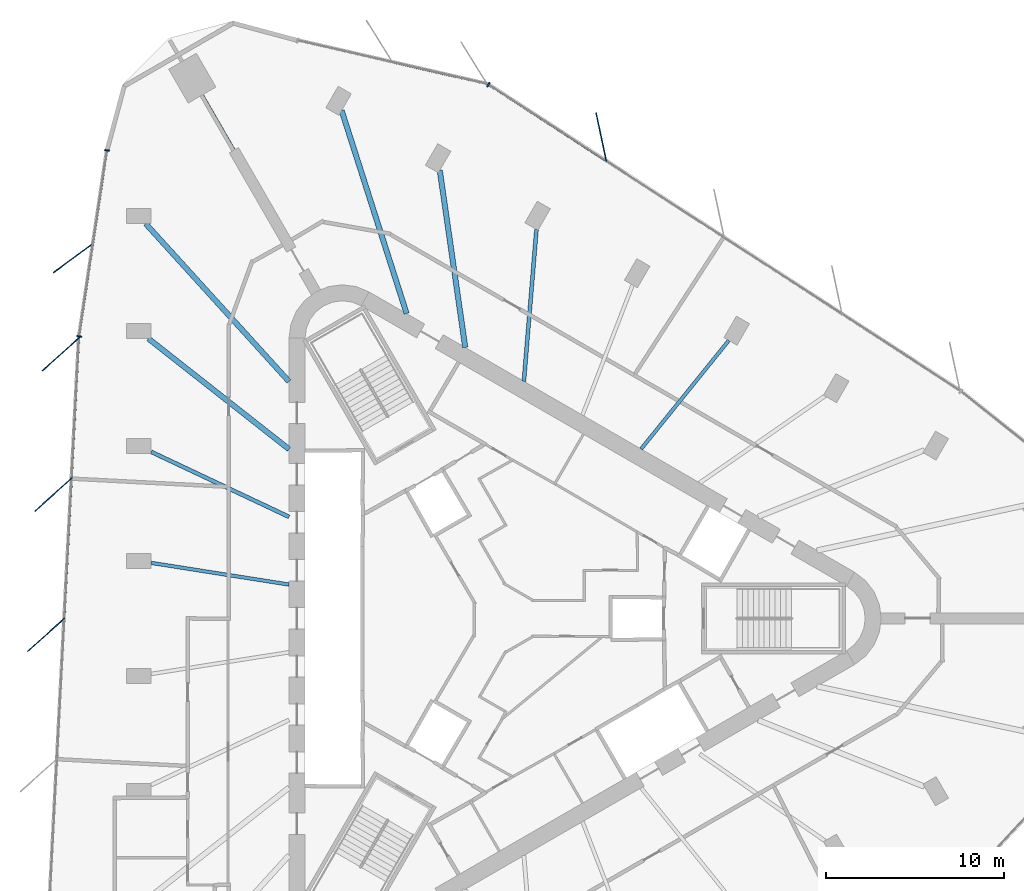
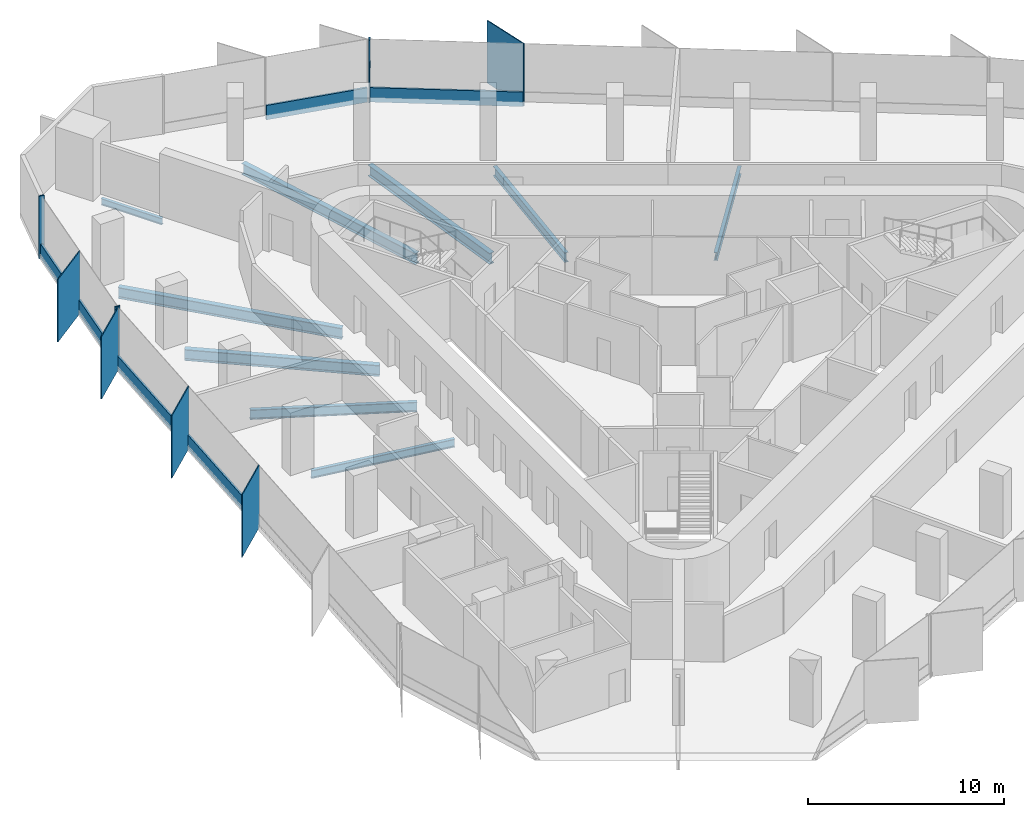
# One storey, part 4 of 13: 14 members, 9 beams, 4 elements without a shape of their own.
"""IFC4 building model written with IfcOpenShell, lengths in metres."""

from ifc_helpers import new_model, si_unit, direction, frame, origin, origin_2d, place, context, subcontext, project, spatial, rectangle, i_section, extrude, material, material_profile, profile_set, type_object, element, aggregate, save


model = new_model("IFC4")

# Units and contexts
model_context = context("Model", 3, precision=1e-05, world=origin(), true_north=direction((0.0, 1.0)))
body_context = subcontext(model_context, "Body", "Model", "MODEL_VIEW")
ifc_project = project(units=[si_unit("LENGTHUNIT", "METRE"), si_unit("AREAUNIT", "SQUARE_METRE"), si_unit("VOLUMEUNIT", "CUBIC_METRE"), si_unit("PLANEANGLEUNIT", "RADIAN"), si_unit("MASSUNIT", "GRAM", prefix="KILO")], contexts=[model_context])

# Site, building, storey
site_placement = place(None, origin())
site = spatial("IfcSite", under=ifc_project, at=site_placement, CompositionType="ELEMENT")
building_placement = place(site_placement, origin())
building = spatial("IfcBuilding", under=site, at=building_placement, Name="Tanit Gate Tower", CompositionType="ELEMENT")
storey_placement = place(building_placement, frame((0.0, 0.0, 314.300048828125)))
storey = spatial("IfcBuildingStorey", under=building, at=storey_placement, Name="L70", CompositionType="ELEMENT", Elevation=314.300048828125)

# Curtain wall, member
ifc_material_1 = material(Name="Aluminium bronze anodised and glass", Category="aluminium")
curtain_wall_type = type_object("IfcCurtainWallType", Name="Curtain wall typical high", PredefinedType="NOTDEFINED", material=ifc_material_1)
curtain_wall_1_placement = place(storey_placement, origin())
curtain_wall_1 = element("IfcCurtainWall", 1, at=curtain_wall_1_placement, inside=storey, type_object=curtain_wall_type, Name="Curtain wall L70 NE2", PredefinedType="NOTDEFINED")
ifc_material_2 = material(Name="Aluminium bronze anodised", Category="aluminium")
ifc_material_profile_1 = material_profile(ifc_material_2, rectangle(XDim=2.800048828125, YDim=0.055908203125, at=origin_2d()), Name="56x2800 bronze fin mullion")
ifc_profile_set_1 = profile_set([ifc_material_profile_1], Name="Aluminium bronze anodised")
member_type_1 = type_object("IfcMemberType", Name="FIN MULLION 56x2800 bronze", PredefinedType="MULLION", material=ifc_profile_set_1)
member_1_placement = place(storey_placement, frame((5.455078125, 27.071044921875, -0.300048828125), z_axis=(0.0, 0.0, 1.0), x_axis=(0.208237849046, -0.978078216824, 0.0)))
member_1 = element("IfcMember", 2, at=member_1_placement, type_object=member_type_1, Name="Fin mullion L70 NE2.4", PredefinedType="MULLION", context=body_context, shape_type="SweptSolid", body=[
    extrude(rectangle(XDim=2.800048828125, YDim=0.055908203125, at=origin_2d()), origin(), (0.0, 0.0, 1.0), 3.89990234375),
])

curtain_wall_2_placement = place(storey_placement, origin())
curtain_wall_2 = element("IfcCurtainWall", 3, at=curtain_wall_2_placement, inside=storey, type_object=curtain_wall_type, Name="Curtain wall L70 W1", PredefinedType="NOTDEFINED")
member_2_placement = place(storey_placement, frame((-24.231689453125, 20.26904296875, -0.300048828125), z_axis=(0.0, 0.0, 1.0), x_axis=(0.804109178705, 0.594481647086, 0.0)))
member_2 = element("IfcMember", 4, at=member_2_placement, type_object=member_type_1, Name="Fin mullion L70 W1.2", PredefinedType="MULLION", context=body_context, shape_type="SweptSolid", body=[
    extrude(rectangle(XDim=2.800048828125, YDim=0.055908203125, at=origin_2d()), origin(), (0.0, 0.0, 1.0), 3.89990234375),
])

# Curtain wall, members
curtain_wall_3_placement = place(storey_placement, origin())
curtain_wall_3 = element("IfcCurtainWall", 5, at=curtain_wall_3_placement, inside=storey, type_object=curtain_wall_type, Name="Curtain wall L70 W2", PredefinedType="NOTDEFINED")
member_3_placement = place(storey_placement, frame((-24.939453125, 14.85498046875, -0.300048828125), z_axis=(0.0, 0.0, 1.0), x_axis=(0.742921658135, 0.669378375715, 0.0)))
member_3 = element("IfcMember", 6, at=member_3_placement, type_object=member_type_1, Name="Fin mullion L70 W2.1", PredefinedType="MULLION", context=body_context, shape_type="SweptSolid", body=[
    extrude(rectangle(XDim=2.800048828125, YDim=0.055908203125, at=origin_2d()), origin(), (0.0, 0.0, 1.0), 3.89990234375),
])
member_4_placement = place(storey_placement, frame((-25.35009765625, 6.96630859375, -0.300048828125), z_axis=(0.0, 0.0, 1.0), x_axis=(0.742921658135, 0.669378375715, 0.0)))
member_4 = element("IfcMember", 7, at=member_4_placement, type_object=member_type_1, Name="Fin mullion L70 W2.2", PredefinedType="MULLION", context=body_context, shape_type="SweptSolid", body=[
    extrude(rectangle(XDim=2.800048828125, YDim=0.055908203125, at=origin_2d()), origin(), (0.0, 0.0, 1.0), 3.89990234375),
])
member_5_placement = place(storey_placement, frame((-25.760986328125, -0.92236328125, -0.300048828125), z_axis=(0.0, 0.0, 1.0), x_axis=(0.742921658135, 0.669378375715, 0.0)))
member_5 = element("IfcMember", 8, at=member_5_placement, type_object=member_type_1, Name="Fin mullion L70 W2.3", PredefinedType="MULLION", context=body_context, shape_type="SweptSolid", body=[
    extrude(rectangle(XDim=2.800048828125, YDim=0.055908203125, at=origin_2d()), origin(), (0.0, 0.0, 1.0), 3.89990234375),
])

# Member
ifc_material_3 = material(Name="Aluminium bronze anodised", Category="aluminium")
ifc_material_profile_2 = material_profile(ifc_material_3, rectangle(XDim=0.280029296875, YDim=0.080078125, at=origin_2d()), Name="80x280 bronze mullion")
ifc_profile_set_2 = profile_set([ifc_material_profile_2], Name="Aluminium bronze anodised")
member_type_2 = type_object("IfcMemberType", Name="Mullion 80x280 typical high", PredefinedType="MULLION", material=ifc_profile_set_2)
member_6_placement = place(storey_placement, frame((-0.884033203125, 30.021240234375, -0.300048828125), z_axis=(0.0, 0.0, 1.0), x_axis=(-0.544359344487, -0.838852134807, 0.0)))
member_6 = element("IfcMember", 9, at=member_6_placement, type_object=member_type_2, Name="Mullion L70 NE2.5", PredefinedType="MULLION", context=body_context, shape_type="SweptSolid", body=[
    extrude(rectangle(XDim=0.280029296875, YDim=0.080078125, at=origin_2d()), origin(), (0.0, 0.0, 1.0), 3.89990234375),
])

member_7_placement = place(storey_placement, frame((-22.337890625, 26.32080078125, -0.300048828125), z_axis=(0.0, 0.0, 1.0), x_axis=(0.988953057022, -0.148229049131, 0.0)))
member_7 = element("IfcMember", 10, at=member_7_placement, type_object=member_type_2, Name="Mullion L70 W1.1", PredefinedType="MULLION", context=body_context, shape_type="SweptSolid", body=[
    extrude(rectangle(XDim=0.280029296875, YDim=0.080078125, at=origin_2d()), origin(), (0.0, 0.0, 1.0), 3.89990234375),
])

member_8_placement = place(storey_placement, frame((-23.906005859375, 15.8583984375, -0.300048828125), z_axis=(0.0, 0.0, 1.0), x_axis=(0.988953057022, -0.148229049131, 0.0)))
member_8 = element("IfcMember", 11, at=member_8_placement, type_object=member_type_2, Name="Mullion L70 W1.3", PredefinedType="MULLION", context=body_context, shape_type="SweptSolid", body=[
    extrude(rectangle(XDim=0.280029296875, YDim=0.080078125, at=origin_2d()), origin(), (0.0, 0.0, 1.0), 3.89990234375),
])

# Beams
ifc_material_4 = material(Name="Steel S355", Category="steel")
ifc_material_profile_3 = material_profile(ifc_material_4, i_section(OverallWidth=0.300048828125, OverallDepth=0.68994140625, WebThickness=0.014404296875, FlangeThickness=0.027099609375, FilletRadius=0.027099609375, at=origin_2d()), Name="HEA 700")
ifc_profile_set_3 = profile_set([ifc_material_profile_3], Name="Steel S355")
beam_type_1 = type_object("IfcBeamType", Name="RADIAL GIRDER HEA 700 S355", PredefinedType="BEAM", material=ifc_profile_set_3)
beam_1_placement = place(storey_placement, frame((-3.622314453125, 25.19580078125, -0.64501953125), z_axis=(0.142297951306, -0.989823869713, 0.0), x_axis=(0.989823869713, 0.142297951306, 0.0)))
element("IfcBeam", 12, at=beam_1_placement, inside=storey, type_object=beam_type_1, Name="RADIAL GIRDER", PredefinedType="BEAM", context=body_context, shape_type="SweptSolid", body=[
    extrude(i_section(OverallWidth=0.300048828125, OverallDepth=0.68994140625, WebThickness=0.014404296875, FlangeThickness=0.027099609375, FilletRadius=0.027099609375, at=origin_2d()), origin(), (0.0, 0.0, 1.0), 10.05908203125),
])
beam_2_placement = place(storey_placement, frame((-9.142822265625, 28.5615234375, -0.64501953125), z_axis=(0.304861429939, -0.952396718041, 0.0), x_axis=(0.952396718041, 0.304861429939, 0.0)))
element("IfcBeam", 13, at=beam_2_placement, inside=storey, type_object=beam_type_1, Name="RADIAL GIRDER", PredefinedType="BEAM", context=body_context, shape_type="SweptSolid", body=[
    extrude(i_section(OverallWidth=0.300048828125, OverallDepth=0.68994140625, WebThickness=0.014404296875, FlangeThickness=0.027099609375, FilletRadius=0.027099609375, at=origin_2d()), origin(), (0.0, 0.0, 1.0), 11.989990234375),
])
beam_3_placement = place(storey_placement, frame((-20.16357421875, 22.198486328125, -0.64501953125), z_axis=(0.672368682258, -0.740216424513, 0.0), x_axis=(0.740216424513, 0.672368682258, 0.0)))
element("IfcBeam", 14, at=beam_3_placement, inside=storey, type_object=beam_type_1, Name="RADIAL GIRDER", PredefinedType="BEAM", context=body_context, shape_type="SweptSolid", body=[
    extrude(i_section(OverallWidth=0.300048828125, OverallDepth=0.68994140625, WebThickness=0.014404296875, FlangeThickness=0.027099609375, FilletRadius=0.027099609375, at=origin_2d()), origin(), (0.0, 0.0, 1.0), 11.98974609375),
])
beam_4_placement = place(storey_placement, frame((-20.009033203125, 15.734619140625, -0.64501953125), z_axis=(0.786058028023, -0.618152712993, 0.0), x_axis=(0.618152712993, 0.786058028023, 0.0)))
element("IfcBeam", 15, at=beam_4_placement, inside=storey, type_object=beam_type_1, Name="RADIAL GIRDER", PredefinedType="BEAM", context=body_context, shape_type="SweptSolid", body=[
    extrude(i_section(OverallWidth=0.300048828125, OverallDepth=0.68994140625, WebThickness=0.014404296875, FlangeThickness=0.027099609375, FilletRadius=0.027099609375, at=origin_2d()), origin(), (0.0, 0.0, 1.0), 10.05908203125),
])
ifc_material_5 = material(Name="Steel S355", Category="steel")
ifc_material_profile_4 = material_profile(ifc_material_5, i_section(OverallWidth=0.179931640625, OverallDepth=0.39990234375, WebThickness=0.008544921875, FlangeThickness=0.013427734375, FilletRadius=0.02099609375, at=origin_2d()), Name="IPE 400")
ifc_profile_set_4 = profile_set([ifc_material_profile_4], Name="Steel S355")
beam_type_2 = type_object("IfcBeamType", Name="RADIAL GIRDER IPE 400 S355", PredefinedType="BEAM", material=ifc_profile_set_4)
beam_5_placement = place(storey_placement, frame((-16.991455078125, 29.43017578125, -0.5), z_axis=(0.499968468511, -0.866043607733, 0.0), x_axis=(0.866043607733, 0.499968468511, 0.0)))
element("IfcBeam", 16, at=beam_5_placement, inside=storey, type_object=beam_type_2, Name="RADIAL GIRDER", PredefinedType="BEAM", context=body_context, shape_type="SweptSolid", body=[
    extrude(i_section(OverallWidth=0.179931640625, OverallDepth=0.39990234375, WebThickness=0.008544921875, FlangeThickness=0.013427734375, FilletRadius=0.02099609375, at=origin_2d()), origin(), (0.0, 0.0, 1.0), 3.579345703125),
])
ifc_material_6 = material(Name="Steel S355", Category="steel")
ifc_material_profile_5 = material_profile(ifc_material_6, i_section(OverallWidth=0.199951171875, OverallDepth=0.5, WebThickness=0.01025390625, FlangeThickness=0.01611328125, FilletRadius=0.02099609375, at=origin_2d()), Name="IPE 500")
ifc_profile_set_5 = profile_set([ifc_material_profile_5], Name="Steel S355")
beam_type_3 = type_object("IfcBeamType", Name="RADIAL GIRDER IPE 500 S355", PredefinedType="BEAM", material=ifc_profile_set_5)
beam_6_placement = place(storey_placement, frame((12.62841796875, 15.62939453125, -0.550048828125), z_axis=(-0.628491429151, -0.777816510164, 0.0), x_axis=(0.777816510164, -0.628491429151, 0.0)))
element("IfcBeam", 17, at=beam_6_placement, inside=storey, type_object=beam_type_3, Name="RADIAL GIRDER", PredefinedType="BEAM", context=body_context, shape_type="SweptSolid", body=[
    extrude(i_section(OverallWidth=0.199951171875, OverallDepth=0.5, WebThickness=0.01025390625, FlangeThickness=0.01611328125, FilletRadius=0.02099609375, at=origin_2d()), origin(), (0.0, 0.0, 1.0), 7.843017578125),
])
beam_7_placement = place(storey_placement, frame((-19.849609375, 3.121826171875, -0.550048828125), z_axis=(0.987856930441, -0.15536629293, 0.0), x_axis=(0.15536629293, 0.987856930441, 0.0)))
element("IfcBeam", 18, at=beam_7_placement, inside=storey, type_object=beam_type_3, Name="RADIAL GIRDER", PredefinedType="BEAM", context=body_context, shape_type="SweptSolid", body=[
    extrude(i_section(OverallWidth=0.199951171875, OverallDepth=0.5, WebThickness=0.01025390625, FlangeThickness=0.01611328125, FilletRadius=0.02099609375, at=origin_2d()), origin(), (0.0, 0.0, 1.0), 7.8427734375),
])
ifc_material_7 = material(Name="Steel S355", Category="steel")
ifc_material_profile_6 = material_profile(ifc_material_7, i_section(OverallWidth=0.219970703125, OverallDepth=0.60009765625, WebThickness=0.011962890625, FlangeThickness=0.01904296875, FilletRadius=0.02392578125, at=origin_2d()), Name="IPE 600")
ifc_profile_set_6 = profile_set([ifc_material_profile_6], Name="Steel S355")
beam_type_4 = type_object("IfcBeamType", Name="RADIAL GIRDER IPE 600 S355", PredefinedType="BEAM", material=ifc_profile_set_6)
for number, where, z_axis, x_axis, name in (
    (19, (1.81396484375, 21.873046875, -0.60009765625), (-0.082646881355, -0.99657889452, 0.0), (0.99657889452, -0.082646881355, 0.0), "RADIAL GIRDER"),
    (20, (-19.849609375, 9.365478515625, -0.60009765625), (0.90438615004, -0.426715000458, 0.0), (0.426715000458, 0.90438615004, 0.0), "RADIAL GIRDER"),
):
    element("IfcBeam", number, at=place(storey_placement, frame(where, z_axis=z_axis, x_axis=x_axis)), inside=storey, type_object=beam_type_4, Name=name, PredefinedType="BEAM", context=body_context, shape_type="SweptSolid", body=[
        extrude(i_section(OverallWidth=0.219970703125, OverallDepth=0.60009765625, WebThickness=0.011962890625, FlangeThickness=0.01904296875, FilletRadius=0.02392578125, at=origin_2d()), origin(), (0.0, 0.0, 1.0), 8.566650390625),
    ])

# Member
ifc_material_8 = material(Name="Aluminium bronze anodised", Category="aluminium")
ifc_material_profile_7 = material_profile(ifc_material_8, rectangle(XDim=0.1201171875, YDim=0.89990234375, at=origin_2d()), Name="120x900 bronze transom")
ifc_profile_set_7 = profile_set([ifc_material_profile_7], Name="Aluminium bronze anodised")
member_type_3 = type_object("IfcMemberType", Name="Transom 120x900 typical high", PredefinedType="USERDEFINED", material=ifc_profile_set_7)
member_9_placement = place(storey_placement, frame((5.708984375, 25.742919921875, 0.14990234375), z_axis=(-0.838850699272, 0.544361556624, 0.0), x_axis=(-0.544361556624, -0.838850699272, 0.0)))
member_9 = element("IfcMember", 21, at=member_9_placement, type_object=member_type_3, Name="Transom L70 NE2.4", ObjectType="TRANSOM", PredefinedType="USERDEFINED", context=body_context, shape_type="SweptSolid", body=[
    extrude(rectangle(XDim=0.1201171875, YDim=0.89990234375, at=origin_2d()), origin(), (0.0, 0.0, 1.0), 7.8193359375),
])

aggregate(curtain_wall_1, [member_1, member_6, member_9])

# Curtain wall, member
curtain_wall_4_placement = place(storey_placement, origin())
curtain_wall_4 = element("IfcCurtainWall", 22, at=curtain_wall_4_placement, inside=storey, type_object=curtain_wall_type, Name="Curtain wall L70 NE3", PredefinedType="NOTDEFINED")
member_10_placement = place(storey_placement, frame((-0.995361328125, 30.06103515625, 0.14990234375), z_axis=(-0.974449190719, 0.224608046843, 0.0), x_axis=(-0.224608046843, -0.974449190719, 0.0)))
member_10 = element("IfcMember", 23, at=member_10_placement, type_object=member_type_3, Name="Transom L70 NE3.1", ObjectType="TRANSOM", PredefinedType="USERDEFINED", context=body_context, shape_type="SweptSolid", body=[
    extrude(rectangle(XDim=0.1201171875, YDim=0.89990234375, at=origin_2d()), origin(), (0.0, 0.0, 1.0), 5.38916015625),
])
aggregate(curtain_wall_4, [member_10])

# Member
member_11_placement = place(storey_placement, frame((-22.34375, 26.28125, 0.14990234375), z_axis=(-0.148228163726, -0.988953189731, 0.0), x_axis=(0.988953189731, -0.148228163726, 0.0)))
member_11 = element("IfcMember", 24, at=member_11_placement, type_object=member_type_3, Name="Transom L70 W1.1", ObjectType="TRANSOM", PredefinedType="USERDEFINED", context=body_context, shape_type="SweptSolid", body=[
    extrude(rectangle(XDim=0.1201171875, YDim=0.89990234375, at=origin_2d()), origin(), (0.0, 0.0, 1.0), 5.209716796875),
])

member_12_placement = place(storey_placement, frame((-23.1279296875, 21.050048828125, 0.14990234375), z_axis=(-0.148228163726, -0.988953189731, 0.0), x_axis=(0.988953189731, -0.148228163726, 0.0)))
member_12 = element("IfcMember", 25, at=member_12_placement, type_object=member_type_3, Name="Transom L70 W1.2", ObjectType="TRANSOM", PredefinedType="USERDEFINED", context=body_context, shape_type="SweptSolid", body=[
    extrude(rectangle(XDim=0.1201171875, YDim=0.89990234375, at=origin_2d()), origin(), (0.0, 0.0, 1.0), 5.209716796875),
])

aggregate(curtain_wall_2, [member_7, member_2, member_8, member_11, member_12])

member_13_placement = place(storey_placement, frame((-23.916015625, 15.739013671875, 0.14990234375), z_axis=(-0.05201640207, -0.998646230612, 0.0), x_axis=(0.998646230612, -0.05201640207, 0.0)))
member_13 = element("IfcMember", 26, at=member_13_placement, type_object=member_type_3, Name="Transom L70 W2.1", ObjectType="TRANSOM", PredefinedType="USERDEFINED", context=body_context, shape_type="SweptSolid", body=[
    extrude(rectangle(XDim=0.1201171875, YDim=0.89990234375, at=origin_2d()), origin(), (0.0, 0.0, 1.0), 7.8193359375),
])

member_14_placement = place(storey_placement, frame((-24.326904296875, 7.85009765625, 0.14990234375), z_axis=(-0.051985264142, -0.998647852004, 0.0), x_axis=(0.998647852004, -0.051985264142, 0.0)))
member_14 = element("IfcMember", 27, at=member_14_placement, type_object=member_type_3, Name="Transom L70 W2.2", ObjectType="TRANSOM", PredefinedType="USERDEFINED", context=body_context, shape_type="SweptSolid", body=[
    extrude(rectangle(XDim=0.1201171875, YDim=0.89990234375, at=origin_2d()), origin(), (0.0, 0.0, 1.0), 7.8193359375),
])

aggregate(curtain_wall_3, [member_3, member_4, member_5, member_13, member_14])

save(model, "model.ifc")
